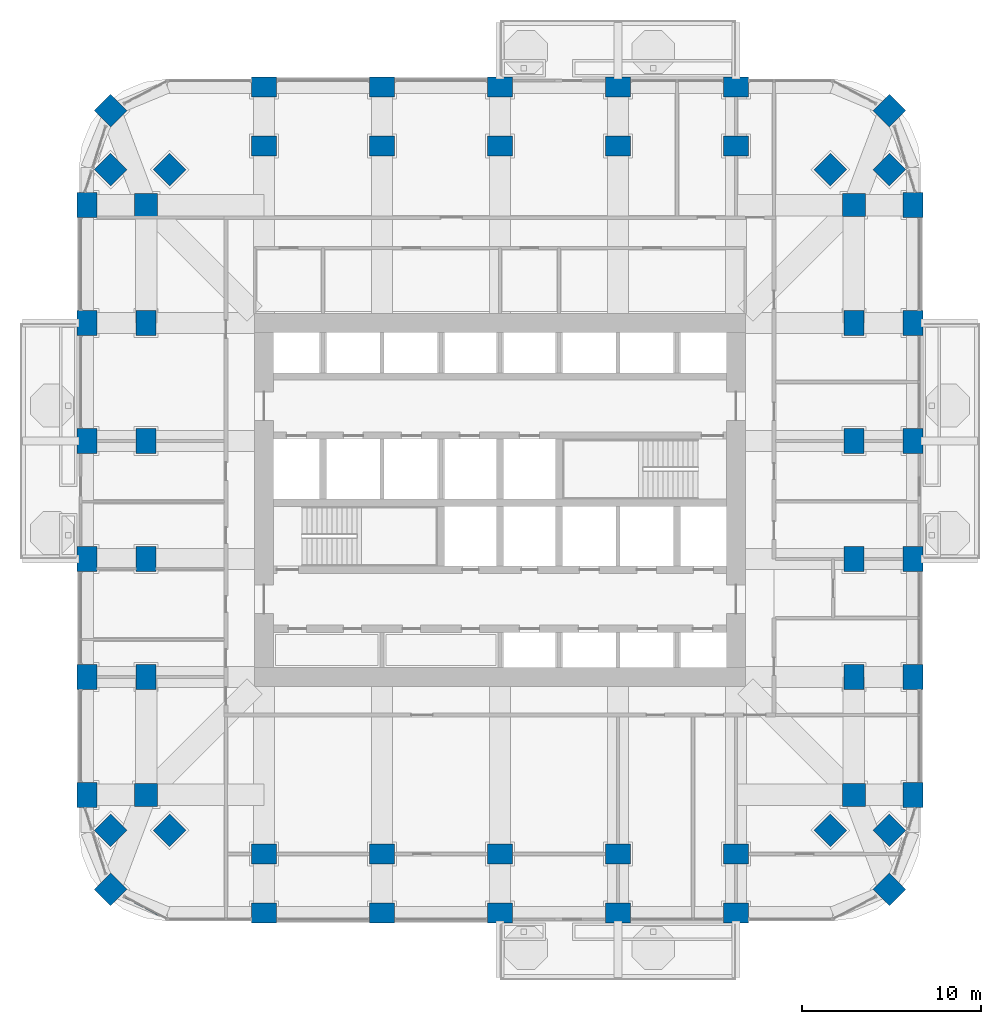
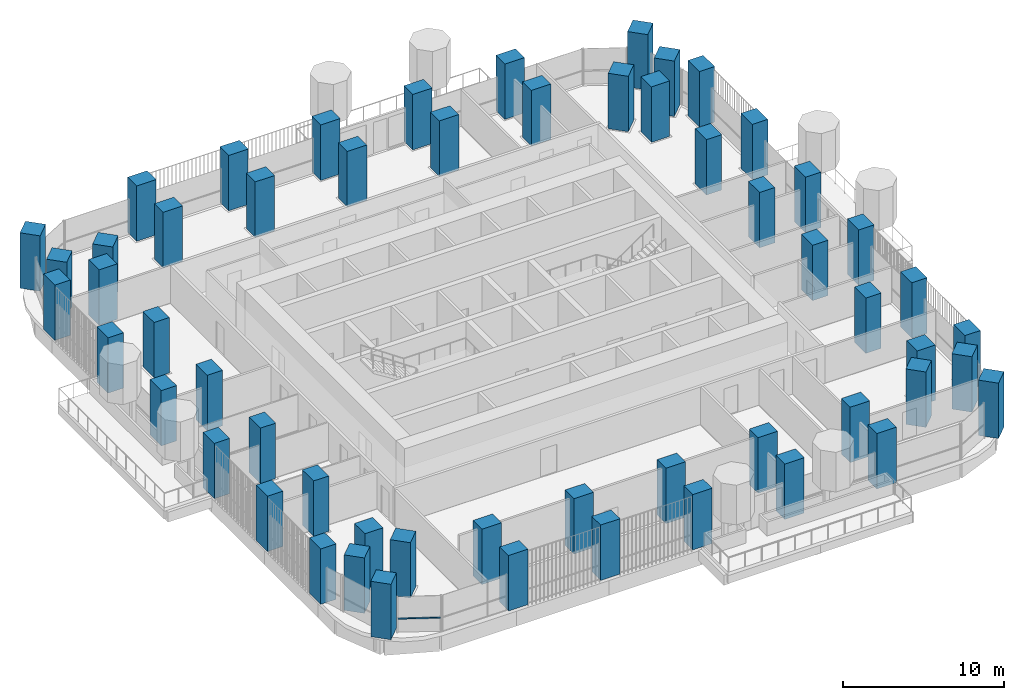
# One storey, part 1 of 22: 56 columns, 1 member, 1 element without a shape of its own.
"""IFC4 building model written with IfcOpenShell, lengths in metres."""

import ifcopenshell
import ifcopenshell.guid

model = None  # the IFC model being written
_history = None  # IfcOwnerHistory: only IFC2X3 demands one
_inside = {}  # id of a spatial element -> (the spatial element, [elements in it])
_under = {}  # id of a project, library or spatial element -> (it, [spatial elements below it])
_declared = {}  # id of a project -> (the project, [libraries it declares])
_typed = {}  # id of a type object -> (the type object, [elements of that type])
_made_of = {}  # id of a material, layer set ... -> (it, [elements and type objects made of it])


def new_model(schema):
    """Start an empty IFC model of exactly this schema.

    Asked for "IFC4X3", IfcOpenShell would pick the latest addendum, in which some entities
    have other attributes; the version numbers below select the first issue.
    IFC2X3 requires an IfcOwnerHistory on every rooted entity: one is made here for all.
    """
    global model, _history
    if schema == "IFC4X3":
        model = ifcopenshell.file(schema_version=(4, 3, 0, 0))
    else:
        model = ifcopenshell.file(schema=schema)
    _inside.clear()
    _under.clear()
    _declared.clear()
    _typed.clear()
    _made_of.clear()
    _history = None
    if model.schema == "IFC2X3":
        org = make("IfcOrganization", Name="unknown")
        user = make(
            "IfcPersonAndOrganization",
            ThePerson=make("IfcPerson", FamilyName="unknown"),
            TheOrganization=org,
        )
        app = make(
            "IfcApplication",
            ApplicationDeveloper=org,
            Version="unknown",
            ApplicationFullName="unknown",
            ApplicationIdentifier="unknown",
        )
        _history = make(
            "IfcOwnerHistory",
            OwningUser=user,
            OwningApplication=app,
            ChangeAction="ADDED",
            CreationDate=0,
        )
    return model


def make(cls, **values):
    """One entity of the class cls with the attributes given. An attribute that is None is left unset."""
    return model.create_entity(
        cls, **{name: value for name, value in values.items() if value is not None}
    )


def rooted(cls, **values):
    """An entity with a GlobalId (a new one), such as an element, a storey or a relation."""
    return make(cls, GlobalId=ifcopenshell.guid.new(), OwnerHistory=_history, **values)


def si_unit(unit_type, name, prefix=None):
    """IfcSIUnit, for example si_unit("LENGTHUNIT", "METRE", prefix="MILLI")."""
    return make("IfcSIUnit", UnitType=unit_type, Prefix=prefix, Name=name)


def assignment(units):
    """IfcUnitAssignment: the units of a project."""
    return None if units is None else make("IfcUnitAssignment", Units=units)


def point(xyz):
    """IfcCartesianPoint."""
    return None if xyz is None else make("IfcCartesianPoint", Coordinates=xyz)


def direction(xyz):
    """IfcDirection."""
    return None if xyz is None else make("IfcDirection", DirectionRatios=xyz)


def frame(location, z_axis=None, x_axis=None):
    """IfcAxis2Placement3D, a coordinate frame: its origin and axes. An axis left out is left unset."""
    return make(
        "IfcAxis2Placement3D",
        Location=point(location),
        Axis=direction(z_axis),
        RefDirection=direction(x_axis),
    )


def frame_2d(location, x_axis=None):
    """IfcAxis2Placement2D, a coordinate frame in the plane: its origin and x axis."""
    return make(
        "IfcAxis2Placement2D", Location=point(location), RefDirection=direction(x_axis)
    )


def origin():
    """The frame at (0, 0, 0) with its axes left unset."""
    return frame((0.0, 0.0, 0.0))


def origin_2d():
    """The frame at (0, 0) in the plane with its x axis left unset."""
    return frame_2d((0.0, 0.0))


def place(relative_to, where):
    """IfcLocalPlacement: puts the frame where relative to a parent placement (None: the world)."""
    return make(
        "IfcLocalPlacement", PlacementRelTo=relative_to, RelativePlacement=where
    )


def context(
    kind, dimensions, precision=None, world=None, true_north=None, identifier=None
):
    """IfcGeometricRepresentationContext, for example the 3D "Model" context."""
    return make(
        "IfcGeometricRepresentationContext",
        ContextIdentifier=identifier,
        ContextType=kind,
        CoordinateSpaceDimension=dimensions,
        Precision=precision,
        WorldCoordinateSystem=world,
        TrueNorth=true_north,
    )


def subcontext(parent, identifier, kind, view, scale=None):
    """IfcGeometricRepresentationSubContext, for example "Body" below "Model"."""
    return make(
        "IfcGeometricRepresentationSubContext",
        ContextIdentifier=identifier,
        ContextType=kind,
        ParentContext=parent,
        TargetScale=scale,
        TargetView=view,
    )


def project(units=None, contexts=None):
    """IfcProject with its units and contexts."""
    return rooted(
        "IfcProject",
        Name="project",
        RepresentationContexts=contexts,
        UnitsInContext=assignment(units),
    )


def spatial(cls, under=None, at=None, **own):
    """A site, building, storey or space (cls), placed at a placement, below another one or the project."""
    s = rooted(cls, ObjectPlacement=at, **own)
    if under is not None:
        _under.setdefault(under.id(), (under, []))[1].append(s)
    return s


def profile(cls, at=None, kind="AREA", **sizes):
    """A parametric profile (cls). Its sizes go by their IFC names, for example OverallWidth=200.0."""
    return make(cls, ProfileType=kind, Position=at, **sizes)


def rectangle(**sizes):
    """IfcRectangleProfileDef."""
    return profile("IfcRectangleProfileDef", **sizes)


def extrude(swept, where, along, depth):
    """IfcExtrudedAreaSolid: the profile swept, set in the frame where, extruded along a direction by depth."""
    return make(
        "IfcExtrudedAreaSolid",
        SweptArea=swept,
        Position=where,
        ExtrudedDirection=direction(along),
        Depth=depth,
    )


def shape(context_of_items, identifier, shape_type, items):
    """IfcShapeRepresentation: the items that make up one representation, for example the "Body"."""
    return make(
        "IfcShapeRepresentation",
        ContextOfItems=context_of_items,
        RepresentationIdentifier=identifier,
        RepresentationType=shape_type,
        Items=items,
    )


def material(Name=None, Category=None):
    """IfcMaterial."""
    return make("IfcMaterial", Name=Name, Category=Category)


def material_profile(
    of_material, cross_section, Name=None, Category=None, Priority=None
):
    """IfcMaterialProfile: a cross section and its material."""
    return make(
        "IfcMaterialProfile",
        Name=Name,
        Material=of_material,
        Profile=cross_section,
        Priority=Priority,
        Category=Category,
    )


def profile_set(profiles, Name=None, composite=None):
    """IfcMaterialProfileSet."""
    return make(
        "IfcMaterialProfileSet",
        Name=Name,
        MaterialProfiles=profiles,
        CompositeProfile=composite,
    )


def made_of(thing, what):
    """Note that an element or type object is made of a material, layer set ...; save() writes the relation."""
    if what is not None:
        _made_of.setdefault(what.id(), (what, []))[1].append(thing)
    return thing


def type_object(cls, material=None, **own):
    """A type object (cls), such as IfcWallType, which elements share."""
    return made_of(rooted(cls, **own), material)


def element(
    cls,
    number,
    at=None,
    inside=None,
    cuts=None,
    type_object=None,
    material=None,
    context=None,
    identifier="Body",
    shape_type=None,
    held_by="IfcProductDefinitionShape",
    body=None,
    shapes=None,
    **own,
):
    """One element of the class cls, such as IfcWall. Its Tag is "e" and its number.

    at: its placement. inside: the storey or other place that contains it. cuts: it is an
    opening in that element (IfcRelVoidsElement). A single representation is given by context,
    identifier, shape_type and body (its items); several are given by shapes. held_by: the class
    of the entity that holds the representations. save() writes the other relations.
    """
    e = rooted(cls, Tag="e%d" % number, ObjectPlacement=at, **own)
    if body is not None:
        shapes = [shape(context, identifier, shape_type, body)]
    if shapes is not None:
        e.Representation = make(held_by, Representations=shapes)
    if inside is not None:
        _inside.setdefault(inside.id(), (inside, []))[1].append(e)
    if cuts is not None:
        rooted(
            "IfcRelVoidsElement", RelatingBuildingElement=cuts, RelatedOpeningElement=e
        )
    if type_object is not None:
        _typed.setdefault(type_object.id(), (type_object, []))[1].append(e)
    return made_of(e, material)


def aggregate(whole, parts):
    """IfcRelAggregates: a whole, such as a stair, and the parts it consists of."""
    return rooted("IfcRelAggregates", RelatingObject=whole, RelatedObjects=parts)


def save(model, path):
    """Write the relations noted so far, then the file.

    IfcRelAggregates (storeys below a building ...), IfcRelContainedInSpatialStructure (elements
    in a storey), IfcRelDefinesByType, IfcRelAssociatesMaterial and IfcRelDeclares: one each for
    every whole, place, type object, material and project.
    """
    for whole, parts in _under.values():
        aggregate(whole, parts)
    for where, things in _inside.values():
        rooted(
            "IfcRelContainedInSpatialStructure",
            RelatedElements=things,
            RelatingStructure=where,
        )
    for kind, things in _typed.values():
        rooted("IfcRelDefinesByType", RelatedObjects=things, RelatingType=kind)
    for what, things in _made_of.values():
        rooted("IfcRelAssociatesMaterial", RelatedObjects=things, RelatingMaterial=what)
    for by, libraries in _declared.values():
        rooted("IfcRelDeclares", RelatingContext=by, RelatedDefinitions=libraries)
    model.write(path)


model = new_model("IFC4")

# Units and contexts
model_context = context("Model", 3, precision=1e-05, world=origin(), true_north=direction((0.0, 1.0)))
body_context = subcontext(model_context, "Body", "Model", "MODEL_VIEW")
ifc_project = project(units=[si_unit("LENGTHUNIT", "METRE"), si_unit("AREAUNIT", "SQUARE_METRE"), si_unit("VOLUMEUNIT", "CUBIC_METRE"), si_unit("PLANEANGLEUNIT", "RADIAN"), si_unit("MASSUNIT", "GRAM", prefix="KILO")], contexts=[model_context])

# Site, building, storey
site_placement = place(None, origin())
site = spatial("IfcSite", under=ifc_project, at=site_placement, CompositionType="ELEMENT")
building_placement = place(site_placement, origin())
building = spatial("IfcBuilding", under=site, at=building_placement, Name="Cobogo Forest Laboratory Tower", CompositionType="ELEMENT")
storey_placement = place(building_placement, frame((0.0, 0.0, 120.0)))
storey = spatial("IfcBuildingStorey", under=building, at=storey_placement, Name="L27", CompositionType="ELEMENT", Elevation=120.0)

# Columns
ifc_material_1 = material(Name="Concrete HA-50 (C50/60)", Category="concrete")
ifc_material_profile_1 = material_profile(ifc_material_1, rectangle(XDim=1.39990234375, YDim=1.10009765625, at=origin_2d()), Name="RC 1100x1400")
ifc_profile_set_1 = profile_set([ifc_material_profile_1], Name="Concrete HA-50 (C50/60)")
column_type_1 = type_object("IfcColumnType", Name="Blade column 1100x1400", PredefinedType="COLUMN", material=ifc_profile_set_1)
for number, where, z_axis, x_axis, name in (
    (1, (13.199951171875, 0.0, 0.0), (0.0, 0.0, 1.0), (1.0, 0.0, 0.0), "Column 3-A L27"),
    (2, (19.800048828125, 0.0, 0.0), (0.0, 0.0, 1.0), (1.0, 0.0, 0.0), "Column 4-A L27"),
    (3, (26.39990234375, 0.0, 0.0), (0.0, 0.0, 1.0), (1.0, 0.0, 0.0), "Column 5-A L27"),
    (4, (33.0, 0.0, 0.0), (0.0, 0.0, 1.0), (1.0, 0.0, 0.0), "Column 6-A L27"),
    (5, (39.60009765625, 0.0, 0.0), (0.0, 0.0, 1.0), (1.0, 0.0, 0.0), "Column 7-A L27"),
    (6, (3.300048828125, 6.60009765625, 0.0), (0.0, 0.0, 1.0), (0.0, 1.0, 0.0), "Column 1.1-B L27"),
    (7, (49.5, 6.60009765625, 0.0), (0.0, 0.0, 1.0), (0.0, 1.0, 0.0), "Column 8.1-B L27"),
    (8, (3.300048828125, 13.199951171875, 0.0), (0.0, 0.0, 1.0), (0.0, 1.0, 0.0), "Column 1.1-C L27"),
    (9, (49.5, 13.199951171875, 0.0), (0.0, 0.0, 1.0), (0.0, 1.0, 0.0), "Column 8.1-C L27"),
    (10, (3.300048828125, 19.800048828125, 0.0), (0.0, 0.0, 1.0), (0.0, 1.0, 0.0), "Column 1.1-D L27"),
    (11, (49.5, 19.800048828125, 0.0), (0.0, 0.0, 1.0), (0.0, 1.0, 0.0), "Column 8.1-D L27"),
    (12, (3.300048828125, 26.39990234375, 0.0), (0.0, 0.0, 1.0), (0.0, 1.0, 0.0), "Column 1.1-E L27"),
    (13, (49.5, 26.39990234375, 0.0), (0.0, 0.0, 1.0), (0.0, 1.0, 0.0), "Column 8.1-E L27"),
    (14, (3.300048828125, 33.0, 0.0), (0.0, 0.0, 1.0), (0.0, 1.0, 0.0), "Column 1.1-F L27"),
    (15, (49.5, 33.0, 0.0), (0.0, 0.0, 1.0), (0.0, 1.0, 0.0), "Column 8.1-F L27"),
    (16, (3.300048828125, 39.60009765625, 0.0), (0.0, 0.0, 1.0), (0.0, 1.0, 0.0), "Column 1.1-G L27"),
    (17, (49.5, 39.60009765625, 0.0), (0.0, 0.0, 1.0), (0.0, 1.0, 0.0), "Column 8.1-G L27"),
    (18, (13.199951171875, 46.199951171875, 0.0), (0.0, 0.0, 1.0), (1.0, 0.0, 0.0), "Column 3-H L27"),
    (19, (19.800048828125, 46.199951171875, 0.0), (0.0, 0.0, 1.0), (1.0, 0.0, 0.0), "Column 4-H L27"),
    (20, (26.39990234375, 46.199951171875, 0.0), (0.0, 0.0, 1.0), (1.0, 0.0, 0.0), "Column 5-H L27"),
    (21, (33.0, 46.199951171875, 0.0), (0.0, 0.0, 1.0), (1.0, 0.0, 0.0), "Column 6-H L27"),
    (22, (39.60009765625, 46.199951171875, 0.0), (0.0, 0.0, 1.0), (1.0, 0.0, 0.0), "Column 7-H L27"),
    (23, (13.199951171875, 3.300048828125, 0.0), (0.0, 0.0, 1.0), (1.0, 0.0, 0.0), "Column 3-A.1-C L27"),
    (24, (19.800048828125, 3.300048828125, 0.0), (0.0, 0.0, 1.0), (1.0, 0.0, 0.0), "Column 4-A.1-C L27"),
    (25, (26.39990234375, 3.300048828125, 0.0), (0.0, 0.0, 1.0), (1.0, 0.0, 0.0), "Column 5-A.1-C L27"),
    (26, (33.0, 3.300048828125, 0.0), (0.0, 0.0, 1.0), (1.0, 0.0, 0.0), "Column 6-A.1-C L27"),
    (27, (39.60009765625, 3.300048828125, 0.0), (0.0, 0.0, 1.0), (1.0, 0.0, 0.0), "Column 7-A.1-C L27"),
    (28, (13.199951171875, 42.89990234375, 0.0), (0.0, 0.0, 1.0), (1.0, 0.0, 0.0), "Column 3-G.1-C L27"),
    (29, (19.800048828125, 42.89990234375, 0.0), (0.0, 0.0, 1.0), (1.0, 0.0, 0.0), "Column 4-G.1-C L27"),
    (30, (26.39990234375, 42.89990234375, 0.0), (0.0, 0.0, 1.0), (1.0, 0.0, 0.0), "Column 5-G.1-C L27"),
    (31, (33.0, 42.89990234375, 0.0), (0.0, 0.0, 1.0), (1.0, 0.0, 0.0), "Column 6-G.1-C L27"),
    (32, (39.60009765625, 42.89990234375, 0.0), (0.0, 0.0, 1.0), (1.0, 0.0, 0.0), "Column 7-G.1-C L27"),
    (33, (6.60009765625, 13.199951171875, 0.0), (0.0, 0.0, 1.0), (0.0, 1.0, 0.0), "Column 2-C-D L27"),
    (34, (46.199951171875, 13.199951171875, 0.0), (0.0, 0.0, 1.0), (0.0, 1.0, 0.0), "Column 8-C-D L27"),
    (35, (6.60009765625, 19.800048828125, 0.0), (0.0, 0.0, 1.0), (0.0, 1.0, 0.0), "Column 2-D-D L27"),
    (36, (46.199951171875, 19.800048828125, 0.0), (0.0, 0.0, 1.0), (0.0, 1.0, 0.0), "Column 8-D-D L27"),
    (37, (6.60009765625, 26.39990234375, 0.0), (0.0, 0.0, 1.0), (0.0, 1.0, 0.0), "Column 2-E-D L27"),
    (38, (46.199951171875, 26.39990234375, 0.0), (0.0, 0.0, 1.0), (0.0, 1.0, 0.0), "Column 8-E-D L27"),
    (39, (6.60009765625, 33.0, 0.0), (0.0, 0.0, 1.0), (0.0, 1.0, 0.0), "Column 2-F-D L27"),
    (40, (46.199951171875, 33.0, 0.0), (0.0, 0.0, 1.0), (0.0, 1.0, 0.0), "Column 8-F-D L27"),
):
    element("IfcColumn", number, at=place(storey_placement, frame(where, z_axis=z_axis, x_axis=x_axis)), inside=storey, type_object=column_type_1, Name=name, PredefinedType="COLUMN", context=body_context, shape_type="SweptSolid", body=[
        extrude(rectangle(XDim=1.39990234375, YDim=1.10009765625, at=origin_2d()), origin(), (0.0, 0.0, 1.0), 4.199951171875),
    ])
ifc_material_profile_2 = material_profile(ifc_material_1, rectangle(XDim=1.300048828125, YDim=1.300048828125, at=origin_2d()), Name="RC 1300x1300")
ifc_profile_set_2 = profile_set([ifc_material_profile_2], Name="Concrete HA-50 (C50/60)")
column_type_2 = type_object("IfcColumnType", Name="Column 1300x1300", PredefinedType="COLUMN", material=ifc_profile_set_2)
for number, where, z_axis, x_axis, name in (
    (41, (4.617919921875, 1.318115234375, 0.0), (0.0, 0.0, 1.0), (0.707106781187, 0.707106781187, 0.0), "Column CNR-SW L27"),
    (42, (48.181884765625, 1.318115234375, 0.0), (0.0, 0.0, 1.0), (0.707106781187, 0.707106781187, 0.0), "Column CNR-SE L27"),
    (43, (4.617919921875, 44.882080078125, 0.0), (0.0, 0.0, 1.0), (0.707106781187, 0.707106781187, 0.0), "Column CNR-NW L27"),
    (44, (48.181884765625, 44.882080078125, 0.0), (0.0, 0.0, 1.0), (0.707106781187, 0.707106781187, 0.0), "Column CNR-NE L27"),
    (45, (6.60009765625, 6.60009765625, 0.0), (0.0, 0.0, 1.0), (1.0, 0.0, 0.0), "Column 2-B L27"),
    (46, (46.199951171875, 6.60009765625, 0.0), (0.0, 0.0, 1.0), (1.0, 0.0, 0.0), "Column 8-B L27"),
    (47, (6.60009765625, 39.60009765625, 0.0), (0.0, 0.0, 1.0), (1.0, 0.0, 0.0), "Column 2-G L27"),
    (48, (46.199951171875, 39.60009765625, 0.0), (0.0, 0.0, 1.0), (1.0, 0.0, 0.0), "Column 8-G L27"),
    (49, (4.617919921875, 4.617919921875, 0.0), (0.0, 0.0, 1.0), (0.707106781187, 0.707106781187, 0.0), "Column CNR-SW-C L27"),
    (50, (48.181884765625, 4.617919921875, 0.0), (0.0, 0.0, 1.0), (0.707106781187, 0.707106781187, 0.0), "Column CNR-SE-C L27"),
    (51, (4.617919921875, 41.58203125, 0.0), (0.0, 0.0, 1.0), (0.707106781187, 0.707106781187, 0.0), "Column CNR-NW-C L27"),
    (52, (48.181884765625, 41.58203125, 0.0), (0.0, 0.0, 1.0), (0.707106781187, 0.707106781187, 0.0), "Column CNR-NE-C L27"),
    (53, (7.91796875, 4.617919921875, 0.0), (0.0, 0.0, 1.0), (0.707106781187, 0.707106781187, 0.0), "Column CNR-SW-D L27"),
    (54, (44.882080078125, 4.617919921875, 0.0), (0.0, 0.0, 1.0), (0.707106781187, 0.707106781187, 0.0), "Column CNR-SE-D L27"),
    (55, (7.91796875, 41.58203125, 0.0), (0.0, 0.0, 1.0), (0.707106781187, 0.707106781187, 0.0), "Column CNR-NW-D L27"),
    (56, (44.882080078125, 41.58203125, 0.0), (0.0, 0.0, 1.0), (0.707106781187, 0.707106781187, 0.0), "Column CNR-NE-D L27"),
):
    element("IfcColumn", number, at=place(storey_placement, frame(where, z_axis=z_axis, x_axis=x_axis)), inside=storey, type_object=column_type_2, Name=name, PredefinedType="COLUMN", context=body_context, shape_type="SweptSolid", body=[
        extrude(rectangle(XDim=1.300048828125, YDim=1.300048828125, at=origin_2d()), origin(), (0.0, 0.0, 1.0), 4.199951171875),
    ])

# Curtain wall, member
ifc_material_2 = material(Name="Aluminium curtain wall", Category="aluminium")
curtain_wall_type = type_object("IfcCurtainWallType", Name="CW-1 unitised curtain wall, clear glazing, laboratory floors zones A and B", PredefinedType="USERDEFINED", material=ifc_material_2)
curtain_wall_placement = place(storey_placement, origin())
curtain_wall = element("IfcCurtainWall", 57, at=curtain_wall_placement, inside=storey, type_object=curtain_wall_type, Name="Curtain wall 34 L27", ObjectType="UNITISED CURTAIN WALL", PredefinedType="USERDEFINED")
ifc_material_3 = material(Name="Aluminium transom", Category="aluminium")
ifc_material_profile_3 = material_profile(ifc_material_3, rectangle(XDim=0.1201171875, YDim=0.06005859375, at=origin_2d()), Name="AL 60x120")
ifc_profile_set_3 = profile_set([ifc_material_profile_3], Name="Aluminium transom")
member_type = type_object("IfcMemberType", Name="TR-1 aluminium transom 60x120", PredefinedType="USERDEFINED", material=ifc_profile_set_3)
member_placement = place(storey_placement, frame((5.394775390625, 0.910888671875, 1.050048828125), z_axis=(0.885694740493, -0.464268054753, 0.0), x_axis=(0.464268054753, 0.885694740493, 0.0)))
member = element("IfcMember", 58, at=member_placement, type_object=member_type, Name="CW-1 transom 1.1", ObjectType="TRANSOM", PredefinedType="USERDEFINED", context=body_context, shape_type="SweptSolid", body=[
    extrude(rectangle(XDim=0.1201171875, YDim=0.06005859375, at=origin_2d()), origin(), (0.0, 0.0, 1.0), 2.655517578125),
])
aggregate(curtain_wall, [member])

save(model, "model.ifc")
